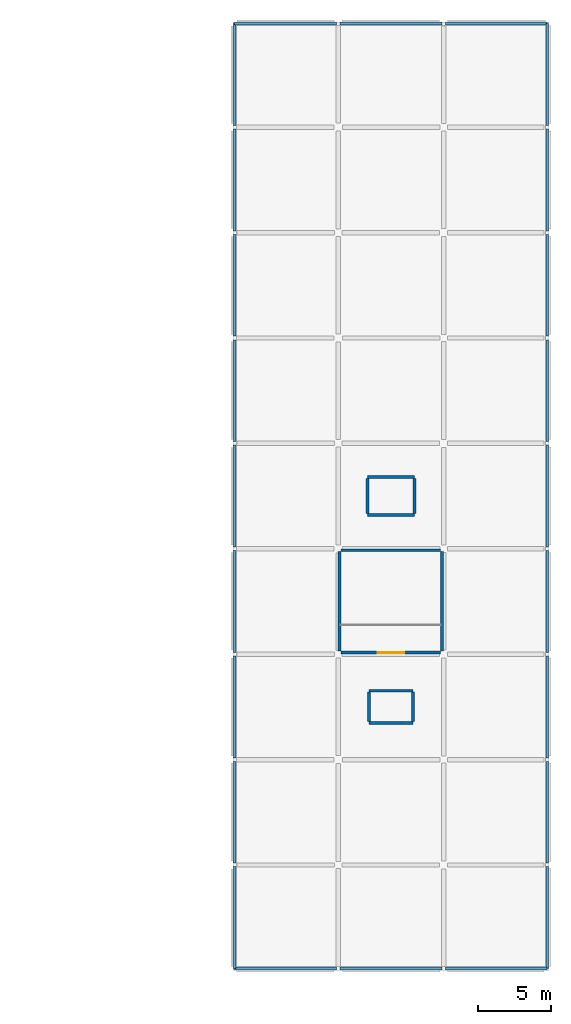
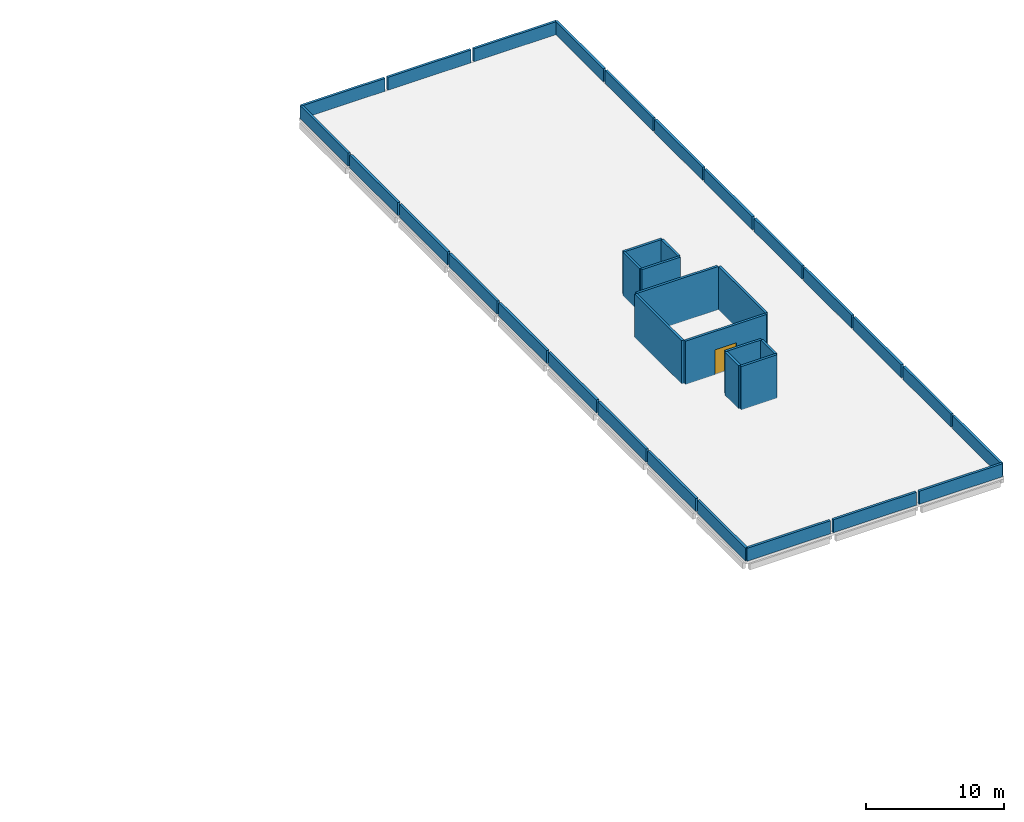
# One storey, part 10 of 15: 36 walls, 1 door, 1 opening.
"""IFC4 building model written with IfcOpenShell, lengths in metres."""

from ifc_helpers import new_model, si_unit, direction, frame, frame_2d, origin, place, context, subcontext, project, spatial, rectangle, extrude, material, layer, layer_set, type_object, element, fill, save


model = new_model("IFC4")

# Units and contexts
model_context = context("Model", 3, precision=1e-05, world=origin(), true_north=direction((0.0, 1.0)))
body_context = subcontext(model_context, "Body", "Model", "MODEL_VIEW")
ifc_project = project(units=[si_unit("LENGTHUNIT", "METRE"), si_unit("AREAUNIT", "SQUARE_METRE"), si_unit("VOLUMEUNIT", "CUBIC_METRE"), si_unit("PLANEANGLEUNIT", "RADIAN"), si_unit("MASSUNIT", "GRAM", prefix="KILO")], contexts=[model_context])

# Site, building, storey
site_placement = place(None, origin())
site = spatial("IfcSite", under=ifc_project, at=site_placement, CompositionType="ELEMENT")
building_placement = place(site_placement, origin())
building = spatial("IfcBuilding", under=site, at=building_placement, Name="Kangsadwip Square Police Headquarters", CompositionType="ELEMENT")
storey_placement = place(building_placement, frame((0.0, 0.0, 29.699951171875)))
storey = spatial("IfcBuildingStorey", under=building, at=storey_placement, Name="L07", CompositionType="ELEMENT", Elevation=29.699951171875)

# Wall, opening, door
ifc_material_1 = material(Name="Concrete M40 (40 MPa)", Category="concrete")
ifc_layer_1 = layer(ifc_material_1, 0.199951171875)
ifc_layer_set_1 = layer_set([ifc_layer_1], Name="Concrete M40 (40 MPa)")
wall_type_1 = type_object("IfcWallType", Name="CoreShearWall200", PredefinedType="SHEAR", material=ifc_layer_set_1)
wall_placement = place(storey_placement, frame((151.39990234375, 57.699951171875, 0.0), z_axis=(0.0, 0.0, 1.0), x_axis=(1.0, 0.0, 0.0)))
wall = element("IfcWall", 1, at=wall_placement, inside=storey, type_object=wall_type_1, Name="Interior Wall WI-L07-0121", PredefinedType="SHEAR", context=body_context, shape_type="SweptSolid", body=[
    extrude(rectangle(XDim=6.800048828125, YDim=0.199951171875, at=frame_2d((3.39990234375, 0.0))), origin(), (0.0, 0.0, 1.0), 3.830078125),
])
opening_placement = place(wall_placement, frame((2.5, 0.0, 0.0)))
opening = element("IfcOpeningElement", 2, at=opening_placement, cuts=wall, Name="Opening FD-18", PredefinedType="OPENING", context=body_context, shape_type="SweptSolid", body=[
    extrude(rectangle(XDim=1.800048828125, YDim=2.199951171875, at=frame_2d((0.89990234375, 1.10009765625))), frame((0.0, 0.10986328125, 0.0), z_axis=(0.0, -1.0, 0.0), x_axis=(1.0, 0.0, 0.0)), (0.0, 0.0, 1.0), 0.219970703125),
])
ifc_material_2 = material(Name="Insulated galvanized steel fire-rated door assembly", Category="steel")
door_type = type_object("IfcDoorType", Name="StairFireDoor1800x2200", OperationType="DOUBLE_DOOR_SINGLE_SWING", PredefinedType="DOOR", material=ifc_material_2)
door_placement = place(opening_placement, origin())
door = element("IfcDoor", 3, at=door_placement, inside=storey, type_object=door_type, Name="Interior Door ID-L07-0027", OperationType="DOUBLE_DOOR_SINGLE_SWING", OverallHeight=2.199951171875, OverallWidth=1.800048828125, PredefinedType="DOOR", context=body_context, shape_type="SweptSolid", body=[
    extrude(rectangle(XDim=1.800048828125, YDim=2.199951171875, at=frame_2d((0.89990234375, 1.10009765625))), frame((0.0, 0.02490234375, 0.0), z_axis=(0.0, -1.0, 0.0), x_axis=(1.0, 0.0, 0.0)), (0.0, 0.0, 1.0), 0.050048828125),
])
fill(opening, door)

# Walls
for number, where, z_axis, x_axis, name in (
    (4, (151.39990234375, 64.699951171875, 0.0), (0.0, 0.0, 1.0), (1.0, 0.0, 0.0), "Interior Wall WI-L07-0122"),
    (5, (151.300048828125, 57.800048828125, 0.0), (0.0, 0.0, 1.0), (0.0, 1.0, 0.0), "Interior Wall WI-L07-0123"),
    (6, (158.300048828125, 57.800048828125, 0.0), (0.0, 0.0, 1.0), (0.0, 1.0, 0.0), "Interior Wall WI-L07-0124"),
):
    element("IfcWall", number, at=place(storey_placement, frame(where, z_axis=z_axis, x_axis=x_axis)), inside=storey, type_object=wall_type_1, Name=name, PredefinedType="SHEAR", context=body_context, shape_type="SweptSolid", body=[
        extrude(rectangle(XDim=6.800048828125, YDim=0.199951171875, at=frame_2d((3.39990234375, 0.0))), origin(), (0.0, 0.0, 1.0), 3.830078125),
    ])
for number, where, z_axis, x_axis, name in (
    (7, (153.300048828125, 52.89990234375, 0.0), (0.0, 0.0, 1.0), (1.0, 0.0, 0.0), "Interior Wall WI-L07-0343"),
    (8, (153.300048828125, 55.10009765625, 0.0), (0.0, 0.0, 1.0), (1.0, 0.0, 0.0), "Interior Wall WI-L07-0344"),
):
    element("IfcWall", number, at=place(storey_placement, frame(where, z_axis=z_axis, x_axis=x_axis)), inside=storey, type_object=wall_type_1, Name=name, PredefinedType="SHEAR", context=body_context, shape_type="SweptSolid", body=[
        extrude(rectangle(XDim=3.0, YDim=0.199951171875, at=frame_2d((1.5, 0.0))), origin(), (0.0, 0.0, 1.0), 3.830078125),
    ])
for number, where, z_axis, x_axis, name in (
    (9, (153.300048828125, 53.0, 0.0), (0.0, 0.0, 1.0), (0.0, 1.0, 0.0), "Interior Wall WI-L07-0345"),
    (10, (156.300048828125, 53.0, 0.0), (0.0, 0.0, 1.0), (0.0, 1.0, 0.0), "Interior Wall WI-L07-0346"),
):
    element("IfcWall", number, at=place(storey_placement, frame(where, z_axis=z_axis, x_axis=x_axis)), inside=storey, type_object=wall_type_1, Name=name, PredefinedType="SHEAR", context=body_context, shape_type="SweptSolid", body=[
        extrude(rectangle(XDim=2.0, YDim=0.199951171875, at=frame_2d((1.0, 0.0))), origin(), (0.0, 0.0, 1.0), 3.830078125),
    ])
for number, where, z_axis, x_axis, name in (
    (11, (153.199951171875, 67.10009765625, 0.0), (0.0, 0.0, 1.0), (1.0, 0.0, 0.0), "Interior Wall WI-L07-0459"),
    (12, (153.199951171875, 69.699951171875, 0.0), (0.0, 0.0, 1.0), (1.0, 0.0, 0.0), "Interior Wall WI-L07-0460"),
):
    element("IfcWall", number, at=place(storey_placement, frame(where, z_axis=z_axis, x_axis=x_axis)), inside=storey, type_object=wall_type_1, Name=name, PredefinedType="SHEAR", context=body_context, shape_type="SweptSolid", body=[
        extrude(rectangle(XDim=3.199951171875, YDim=0.199951171875, at=frame_2d((1.60009765625, 0.0))), origin(), (0.0, 0.0, 1.0), 3.830078125),
    ])
for number, where, z_axis, x_axis, name in (
    (13, (153.199951171875, 67.199951171875, 0.0), (0.0, 0.0, 1.0), (0.0, 1.0, 0.0), "Interior Wall WI-L07-0461"),
    (14, (156.39990234375, 67.199951171875, 0.0), (0.0, 0.0, 1.0), (0.0, 1.0, 0.0), "Interior Wall WI-L07-0462"),
):
    element("IfcWall", number, at=place(storey_placement, frame(where, z_axis=z_axis, x_axis=x_axis)), inside=storey, type_object=wall_type_1, Name=name, PredefinedType="SHEAR", context=body_context, shape_type="SweptSolid", body=[
        extrude(rectangle(XDim=2.400146484375, YDim=0.199951171875, at=frame_2d((1.2001953125, 0.0))), origin(), (0.0, 0.0, 1.0), 3.830078125),
    ])
ifc_material_3 = material(Name="Concrete M35 (35 MPa)", Category="concrete")
ifc_layer_2 = layer(ifc_material_3, 0.199951171875)
ifc_layer_set_2 = layer_set([ifc_layer_2], Name="Concrete M35 (35 MPa)")
wall_type_2 = type_object("IfcWallType", Name="RoofParapetWall200", PredefinedType="PARAPET", material=ifc_layer_set_2)
for number, where, z_axis, x_axis, name in (
    (15, (144.1201171875, 100.679931640625, 0.0), (0.0, 0.0, 1.0), (1.0, 0.0, 0.0), "Exterior Wall WE-L07-648"),
    (16, (144.1201171875, 36.1201171875, 0.0), (0.0, 0.0, 1.0), (1.0, 0.0, 0.0), "Exterior Wall WE-L07-649"),
    (17, (151.320068359375, 100.679931640625, 0.0), (0.0, 0.0, 1.0), (1.0, 0.0, 0.0), "Exterior Wall WE-L07-650"),
    (18, (151.320068359375, 36.1201171875, 0.0), (0.0, 0.0, 1.0), (1.0, 0.0, 0.0), "Exterior Wall WE-L07-651"),
    (19, (158.52001953125, 100.679931640625, 0.0), (0.0, 0.0, 1.0), (1.0, 0.0, 0.0), "Exterior Wall WE-L07-652"),
    (20, (158.52001953125, 36.1201171875, 0.0), (0.0, 0.0, 1.0), (1.0, 0.0, 0.0), "Exterior Wall WE-L07-653"),
    (21, (165.47998046875, 36.1201171875, 0.0), (0.0, 0.0, 1.0), (0.0, 1.0, 0.0), "Exterior Wall WE-L07-654"),
    (22, (144.1201171875, 36.1201171875, 0.0), (0.0, 0.0, 1.0), (0.0, 1.0, 0.0), "Exterior Wall WE-L07-655"),
    (23, (165.47998046875, 43.320068359375, 0.0), (0.0, 0.0, 1.0), (0.0, 1.0, 0.0), "Exterior Wall WE-L07-656"),
    (24, (144.1201171875, 43.320068359375, 0.0), (0.0, 0.0, 1.0), (0.0, 1.0, 0.0), "Exterior Wall WE-L07-657"),
    (25, (165.47998046875, 50.52001953125, 0.0), (0.0, 0.0, 1.0), (0.0, 1.0, 0.0), "Exterior Wall WE-L07-658"),
    (26, (144.1201171875, 50.52001953125, 0.0), (0.0, 0.0, 1.0), (0.0, 1.0, 0.0), "Exterior Wall WE-L07-659"),
    (27, (165.47998046875, 57.719970703125, 0.0), (0.0, 0.0, 1.0), (0.0, 1.0, 0.0), "Exterior Wall WE-L07-660"),
    (28, (144.1201171875, 57.719970703125, 0.0), (0.0, 0.0, 1.0), (0.0, 1.0, 0.0), "Exterior Wall WE-L07-661"),
    (29, (165.47998046875, 64.919921875, 0.0), (0.0, 0.0, 1.0), (0.0, 1.0, 0.0), "Exterior Wall WE-L07-662"),
    (30, (144.1201171875, 64.919921875, 0.0), (0.0, 0.0, 1.0), (0.0, 1.0, 0.0), "Exterior Wall WE-L07-663"),
    (31, (165.47998046875, 72.1201171875, 0.0), (0.0, 0.0, 1.0), (0.0, 1.0, 0.0), "Exterior Wall WE-L07-664"),
    (32, (144.1201171875, 72.1201171875, 0.0), (0.0, 0.0, 1.0), (0.0, 1.0, 0.0), "Exterior Wall WE-L07-665"),
    (33, (165.47998046875, 79.320068359375, 0.0), (0.0, 0.0, 1.0), (0.0, 1.0, 0.0), "Exterior Wall WE-L07-666"),
    (34, (144.1201171875, 79.320068359375, 0.0), (0.0, 0.0, 1.0), (0.0, 1.0, 0.0), "Exterior Wall WE-L07-667"),
    (35, (165.47998046875, 86.52001953125, 0.0), (0.0, 0.0, 1.0), (0.0, 1.0, 0.0), "Exterior Wall WE-L07-668"),
    (36, (144.1201171875, 86.52001953125, 0.0), (0.0, 0.0, 1.0), (0.0, 1.0, 0.0), "Exterior Wall WE-L07-669"),
    (37, (165.47998046875, 93.719970703125, 0.0), (0.0, 0.0, 1.0), (0.0, 1.0, 0.0), "Exterior Wall WE-L07-670"),
    (38, (144.1201171875, 93.719970703125, 0.0), (0.0, 0.0, 1.0), (0.0, 1.0, 0.0), "Exterior Wall WE-L07-671"),
):
    element("IfcWall", number, at=place(storey_placement, frame(where, z_axis=z_axis, x_axis=x_axis)), inside=storey, type_object=wall_type_2, Name=name, PredefinedType="PARAPET", context=body_context, shape_type="SweptSolid", body=[
        extrude(rectangle(XDim=6.9599609375, YDim=0.199951171875, at=frame_2d((3.47998046875, 0.0))), origin(), (0.0, 0.0, 1.0), 1.150146484375),
    ])

save(model, "model.ifc")
